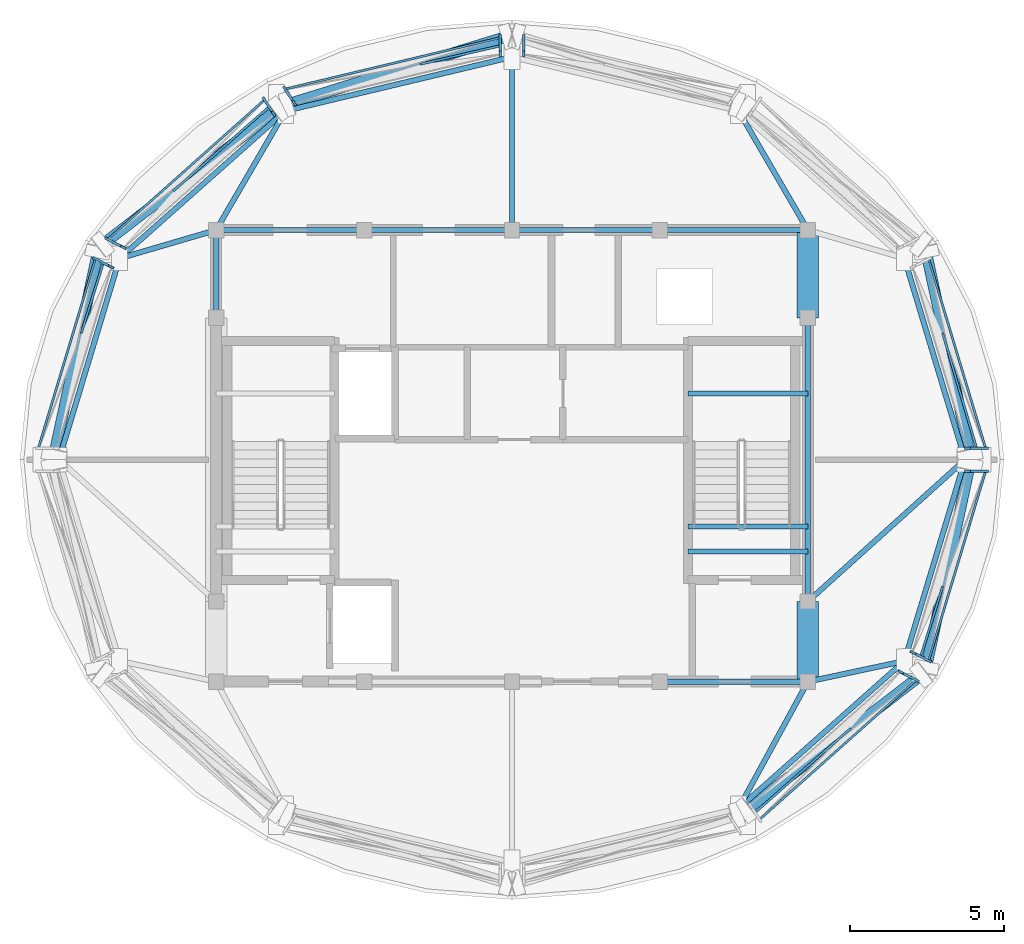
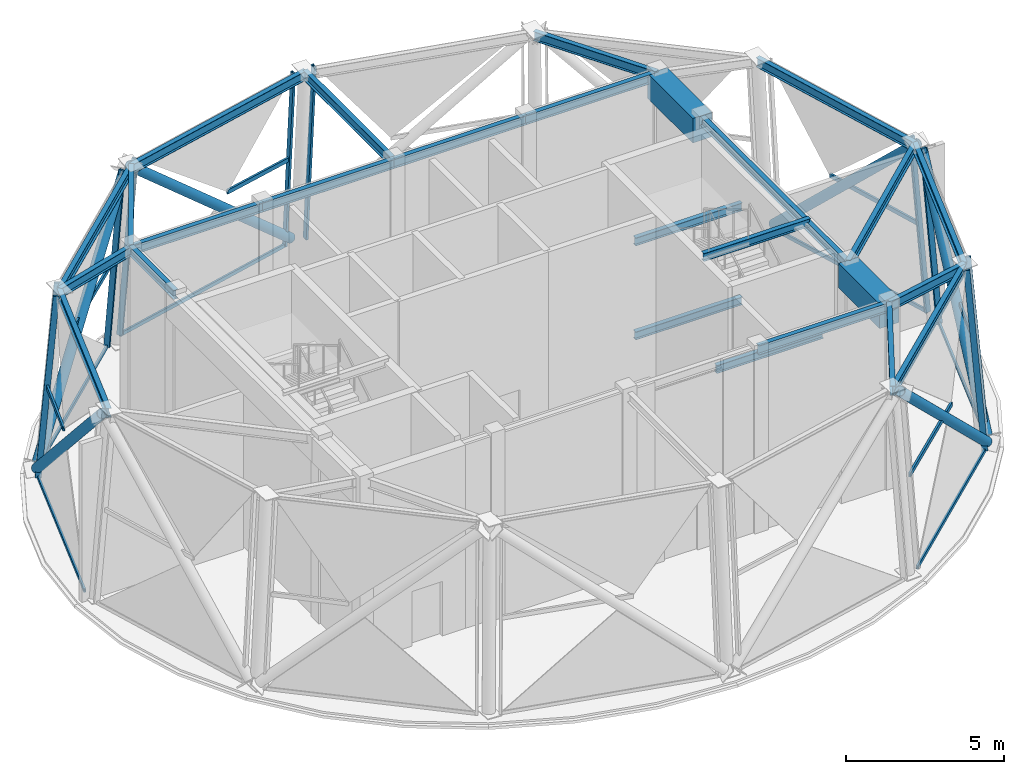
# One storey, part 2 of 8: 28 members, 26 beams, 7 elements without a shape of their own.
"""IFC4 building model written with IfcOpenShell, lengths in metres."""

import ifcopenshell
import ifcopenshell.guid

model = None  # the IFC model being written
_history = None  # IfcOwnerHistory: only IFC2X3 demands one
_inside = {}  # id of a spatial element -> (the spatial element, [elements in it])
_under = {}  # id of a project, library or spatial element -> (it, [spatial elements below it])
_declared = {}  # id of a project -> (the project, [libraries it declares])
_typed = {}  # id of a type object -> (the type object, [elements of that type])
_made_of = {}  # id of a material, layer set ... -> (it, [elements and type objects made of it])


def new_model(schema):
    """Start an empty IFC model of exactly this schema.

    Asked for "IFC4X3", IfcOpenShell would pick the latest addendum, in which some entities
    have other attributes; the version numbers below select the first issue.
    IFC2X3 requires an IfcOwnerHistory on every rooted entity: one is made here for all.
    """
    global model, _history
    if schema == "IFC4X3":
        model = ifcopenshell.file(schema_version=(4, 3, 0, 0))
    else:
        model = ifcopenshell.file(schema=schema)
    _inside.clear()
    _under.clear()
    _declared.clear()
    _typed.clear()
    _made_of.clear()
    _history = None
    if model.schema == "IFC2X3":
        org = make("IfcOrganization", Name="unknown")
        user = make(
            "IfcPersonAndOrganization",
            ThePerson=make("IfcPerson", FamilyName="unknown"),
            TheOrganization=org,
        )
        app = make(
            "IfcApplication",
            ApplicationDeveloper=org,
            Version="unknown",
            ApplicationFullName="unknown",
            ApplicationIdentifier="unknown",
        )
        _history = make(
            "IfcOwnerHistory",
            OwningUser=user,
            OwningApplication=app,
            ChangeAction="ADDED",
            CreationDate=0,
        )
    return model


def make(cls, **values):
    """One entity of the class cls with the attributes given. An attribute that is None is left unset."""
    return model.create_entity(
        cls, **{name: value for name, value in values.items() if value is not None}
    )


def rooted(cls, **values):
    """An entity with a GlobalId (a new one), such as an element, a storey or a relation."""
    return make(cls, GlobalId=ifcopenshell.guid.new(), OwnerHistory=_history, **values)


def si_unit(unit_type, name, prefix=None):
    """IfcSIUnit, for example si_unit("LENGTHUNIT", "METRE", prefix="MILLI")."""
    return make("IfcSIUnit", UnitType=unit_type, Prefix=prefix, Name=name)


def assignment(units):
    """IfcUnitAssignment: the units of a project."""
    return None if units is None else make("IfcUnitAssignment", Units=units)


def point(xyz):
    """IfcCartesianPoint."""
    return None if xyz is None else make("IfcCartesianPoint", Coordinates=xyz)


def direction(xyz):
    """IfcDirection."""
    return None if xyz is None else make("IfcDirection", DirectionRatios=xyz)


def frame(location, z_axis=None, x_axis=None):
    """IfcAxis2Placement3D, a coordinate frame: its origin and axes. An axis left out is left unset."""
    return make(
        "IfcAxis2Placement3D",
        Location=point(location),
        Axis=direction(z_axis),
        RefDirection=direction(x_axis),
    )


def frame_2d(location, x_axis=None):
    """IfcAxis2Placement2D, a coordinate frame in the plane: its origin and x axis."""
    return make(
        "IfcAxis2Placement2D", Location=point(location), RefDirection=direction(x_axis)
    )


def origin():
    """The frame at (0, 0, 0) with its axes left unset."""
    return frame((0.0, 0.0, 0.0))


def origin_2d():
    """The frame at (0, 0) in the plane with its x axis left unset."""
    return frame_2d((0.0, 0.0))


def place(relative_to, where):
    """IfcLocalPlacement: puts the frame where relative to a parent placement (None: the world)."""
    return make(
        "IfcLocalPlacement", PlacementRelTo=relative_to, RelativePlacement=where
    )


def context(
    kind, dimensions, precision=None, world=None, true_north=None, identifier=None
):
    """IfcGeometricRepresentationContext, for example the 3D "Model" context."""
    return make(
        "IfcGeometricRepresentationContext",
        ContextIdentifier=identifier,
        ContextType=kind,
        CoordinateSpaceDimension=dimensions,
        Precision=precision,
        WorldCoordinateSystem=world,
        TrueNorth=true_north,
    )


def subcontext(parent, identifier, kind, view, scale=None):
    """IfcGeometricRepresentationSubContext, for example "Body" below "Model"."""
    return make(
        "IfcGeometricRepresentationSubContext",
        ContextIdentifier=identifier,
        ContextType=kind,
        ParentContext=parent,
        TargetScale=scale,
        TargetView=view,
    )


def project(units=None, contexts=None):
    """IfcProject with its units and contexts."""
    return rooted(
        "IfcProject",
        Name="project",
        RepresentationContexts=contexts,
        UnitsInContext=assignment(units),
    )


def spatial(cls, under=None, at=None, **own):
    """A site, building, storey or space (cls), placed at a placement, below another one or the project."""
    s = rooted(cls, ObjectPlacement=at, **own)
    if under is not None:
        _under.setdefault(under.id(), (under, []))[1].append(s)
    return s


def profile(cls, at=None, kind="AREA", **sizes):
    """A parametric profile (cls). Its sizes go by their IFC names, for example OverallWidth=200.0."""
    return make(cls, ProfileType=kind, Position=at, **sizes)


def rectangle(**sizes):
    """IfcRectangleProfileDef."""
    return profile("IfcRectangleProfileDef", **sizes)


def hollow_rectangle(**sizes):
    """IfcRectangleHollowProfileDef."""
    return profile("IfcRectangleHollowProfileDef", **sizes)


def hollow_circle(**sizes):
    """IfcCircleHollowProfileDef."""
    return profile("IfcCircleHollowProfileDef", **sizes)


def i_section(**sizes):
    """IfcIShapeProfileDef."""
    return profile("IfcIShapeProfileDef", **sizes)


def extrude(swept, where, along, depth):
    """IfcExtrudedAreaSolid: the profile swept, set in the frame where, extruded along a direction by depth."""
    return make(
        "IfcExtrudedAreaSolid",
        SweptArea=swept,
        Position=where,
        ExtrudedDirection=direction(along),
        Depth=depth,
    )


def shape(context_of_items, identifier, shape_type, items):
    """IfcShapeRepresentation: the items that make up one representation, for example the "Body"."""
    return make(
        "IfcShapeRepresentation",
        ContextOfItems=context_of_items,
        RepresentationIdentifier=identifier,
        RepresentationType=shape_type,
        Items=items,
    )


def material(Name=None, Category=None):
    """IfcMaterial."""
    return make("IfcMaterial", Name=Name, Category=Category)


def layer(
    of_material, thickness, ventilated=None, Name=None, Category=None, Priority=None
):
    """IfcMaterialLayer: one layer of a wall or slab, of a material (None: an air gap)."""
    return make(
        "IfcMaterialLayer",
        Material=of_material,
        LayerThickness=thickness,
        IsVentilated=ventilated,
        Name=Name,
        Category=Category,
        Priority=Priority,
    )


def layer_set(layers, Name=None):
    """IfcMaterialLayerSet."""
    return make("IfcMaterialLayerSet", MaterialLayers=layers, LayerSetName=Name)


def material_profile(
    of_material, cross_section, Name=None, Category=None, Priority=None
):
    """IfcMaterialProfile: a cross section and its material."""
    return make(
        "IfcMaterialProfile",
        Name=Name,
        Material=of_material,
        Profile=cross_section,
        Priority=Priority,
        Category=Category,
    )


def profile_set(profiles, Name=None, composite=None):
    """IfcMaterialProfileSet."""
    return make(
        "IfcMaterialProfileSet",
        Name=Name,
        MaterialProfiles=profiles,
        CompositeProfile=composite,
    )


def made_of(thing, what):
    """Note that an element or type object is made of a material, layer set ...; save() writes the relation."""
    if what is not None:
        _made_of.setdefault(what.id(), (what, []))[1].append(thing)
    return thing


def type_object(cls, material=None, **own):
    """A type object (cls), such as IfcWallType, which elements share."""
    return made_of(rooted(cls, **own), material)


def element(
    cls,
    number,
    at=None,
    inside=None,
    cuts=None,
    type_object=None,
    material=None,
    context=None,
    identifier="Body",
    shape_type=None,
    held_by="IfcProductDefinitionShape",
    body=None,
    shapes=None,
    **own,
):
    """One element of the class cls, such as IfcWall. Its Tag is "e" and its number.

    at: its placement. inside: the storey or other place that contains it. cuts: it is an
    opening in that element (IfcRelVoidsElement). A single representation is given by context,
    identifier, shape_type and body (its items); several are given by shapes. held_by: the class
    of the entity that holds the representations. save() writes the other relations.
    """
    e = rooted(cls, Tag="e%d" % number, ObjectPlacement=at, **own)
    if body is not None:
        shapes = [shape(context, identifier, shape_type, body)]
    if shapes is not None:
        e.Representation = make(held_by, Representations=shapes)
    if inside is not None:
        _inside.setdefault(inside.id(), (inside, []))[1].append(e)
    if cuts is not None:
        rooted(
            "IfcRelVoidsElement", RelatingBuildingElement=cuts, RelatedOpeningElement=e
        )
    if type_object is not None:
        _typed.setdefault(type_object.id(), (type_object, []))[1].append(e)
    return made_of(e, material)


def aggregate(whole, parts):
    """IfcRelAggregates: a whole, such as a stair, and the parts it consists of."""
    return rooted("IfcRelAggregates", RelatingObject=whole, RelatedObjects=parts)


def save(model, path):
    """Write the relations noted so far, then the file.

    IfcRelAggregates (storeys below a building ...), IfcRelContainedInSpatialStructure (elements
    in a storey), IfcRelDefinesByType, IfcRelAssociatesMaterial and IfcRelDeclares: one each for
    every whole, place, type object, material and project.
    """
    for whole, parts in _under.values():
        aggregate(whole, parts)
    for where, things in _inside.values():
        rooted(
            "IfcRelContainedInSpatialStructure",
            RelatedElements=things,
            RelatingStructure=where,
        )
    for kind, things in _typed.values():
        rooted("IfcRelDefinesByType", RelatedObjects=things, RelatingType=kind)
    for what, things in _made_of.values():
        rooted("IfcRelAssociatesMaterial", RelatedObjects=things, RelatingMaterial=what)
    for by, libraries in _declared.values():
        rooted("IfcRelDeclares", RelatingContext=by, RelatedDefinitions=libraries)
    model.write(path)


model = new_model("IFC4")

# Units and contexts
model_context = context("Model", 3, precision=1e-05, world=origin(), true_north=direction((0.0, 1.0)))
body_context = subcontext(model_context, "Body", "Model", "MODEL_VIEW")
ifc_project = project(units=[si_unit("LENGTHUNIT", "METRE"), si_unit("AREAUNIT", "SQUARE_METRE"), si_unit("VOLUMEUNIT", "CUBIC_METRE"), si_unit("PLANEANGLEUNIT", "RADIAN"), si_unit("MASSUNIT", "GRAM", prefix="KILO")], contexts=[model_context])

# Site, building, storey
site_placement = place(None, origin())
site = spatial("IfcSite", under=ifc_project, at=site_placement, CompositionType="ELEMENT")
building_placement = place(site_placement, origin())
building = spatial("IfcBuilding", under=site, at=building_placement, Name="Vantalir Tower", CompositionType="ELEMENT")
storey_placement = place(building_placement, frame((0.0, 0.0, 326.25)))
storey = spatial("IfcBuildingStorey", under=building, at=storey_placement, Name="L79", CompositionType="ELEMENT", Elevation=326.25)

# Beams
ifc_material_1 = material(Name="Concrete C60/75", Category="concrete")
ifc_material_profile_1 = material_profile(ifc_material_1, rectangle(XDim=0.699951171875, YDim=0.949951171875, at=origin_2d()), Name="Concrete C60/75")
ifc_profile_set_1 = profile_set([ifc_material_profile_1], Name="Concrete C60/75")
beam_type_1 = type_object("IfcBeamType", Name="BM-CB-700x950", PredefinedType="USERDEFINED", material=ifc_profile_set_1)
beam_1_placement = place(storey_placement, frame((41.10009765625, 17.800048828125, 6.594970703125), z_axis=(0.0, 1.0, 0.0), x_axis=(-1.0, 0.0, 0.0)))
element("IfcBeam", 1, at=beam_1_placement, inside=storey, type_object=beam_type_1, Name="L79 Core Coupling Girder 05", ObjectType="GIRDER", PredefinedType="USERDEFINED", context=body_context, shape_type="SweptSolid", body=[
    extrude(rectangle(XDim=0.699951171875, YDim=0.949951171875, at=origin_2d()), origin(), (0.0, 0.0, 1.0), 2.599853515625),
])
beam_2_placement = place(storey_placement, frame((41.10009765625, 29.60009765625, 6.594970703125), z_axis=(0.0, 1.0, 0.0), x_axis=(-1.0, 0.0, 0.0)))
element("IfcBeam", 2, at=beam_2_placement, inside=storey, type_object=beam_type_1, Name="L79 Core Coupling Girder 07", ObjectType="GIRDER", PredefinedType="USERDEFINED", context=body_context, shape_type="SweptSolid", body=[
    extrude(rectangle(XDim=0.699951171875, YDim=0.949951171875, at=origin_2d()), origin(), (0.0, 0.0, 1.0), 2.849853515625),
])
ifc_material_2 = material(Name="Steel S355", Category="steel")
ifc_material_profile_2 = material_profile(ifc_material_2, i_section(OverallWidth=0.166015625, OverallDepth=0.306884765625, WebThickness=0.006591796875, FlangeThickness=0.01171875, at=origin_2d()), Name="Steel S355")
ifc_profile_set_2 = profile_set([ifc_material_profile_2], Name="Steel S355")
beam_type_2 = type_object("IfcBeamType", Name="BM-JS-305x165", PredefinedType="JOIST", material=ifc_profile_set_2)
for number, where, z_axis, x_axis, name in (
    (3, (37.2099609375, 22.8349609375, 7.095947265625), (1.0, 0.0, 0.0), (0.0, 1.0, 0.0), "L80 Stair ST2 Well Nosing Trimmer Beam"),
    (4, (37.2099609375, 27.14501953125, 1.458984375), (1.0, 0.0, 0.0), (0.0, 1.0, 0.0), "L79 Stair ST2 Half-Landing Support Beam"),
    (5, (37.2099609375, 22.02001953125, 3.27197265625), (1.0, 0.0, 0.0), (0.0, 1.0, 0.0), "L79 Stair ST2 Half-Landing Support Beam"),
    (6, (37.2099609375, 27.14501953125, 5.083984375), (1.0, 0.0, 0.0), (0.0, 1.0, 0.0), "L79 Stair ST2 Half-Landing Support Beam"),
):
    element("IfcBeam", number, at=place(storey_placement, frame(where, z_axis=z_axis, x_axis=x_axis)), inside=storey, type_object=beam_type_2, Name=name, PredefinedType="JOIST", context=body_context, shape_type="SweptSolid", body=[
        extrude(i_section(OverallWidth=0.166015625, OverallDepth=0.306884765625, WebThickness=0.006591796875, FlangeThickness=0.01171875, at=origin_2d()), origin(), (0.0, 0.0, 1.0), 3.89013671875),
    ])
ifc_material_3 = material(Name="Steel S460", Category="steel")
ifc_material_profile_3 = material_profile(ifc_material_3, i_section(OverallWidth=0.172119140625, OverallDepth=0.35791015625, WebThickness=0.008056640625, FlangeThickness=0.012939453125, at=origin_2d()), Name="Steel S460")
ifc_profile_set_3 = profile_set([ifc_material_profile_3], Name="Steel S460")
beam_type_3 = type_object("IfcBeamType", Name="BM-RB-356x171", PredefinedType="BEAM", material=ifc_profile_set_3)
beam_3_placement = place(storey_placement, frame((36.300048828125, 17.800048828125, 6.89111328125), z_axis=(1.0, 0.0, 0.0), x_axis=(0.0, 1.0, 0.0)))
element("IfcBeam", 7, at=beam_3_placement, inside=storey, type_object=beam_type_3, Name="L79 Core Coupling Girder 04", PredefinedType="BEAM", context=body_context, shape_type="SweptSolid", body=[
    extrude(i_section(OverallWidth=0.172119140625, OverallDepth=0.35791015625, WebThickness=0.008056640625, FlangeThickness=0.012939453125, at=origin_2d()), origin(), (0.0, 0.0, 1.0), 4.800048828125),
])
beam_4_placement = place(storey_placement, frame((41.10009765625, 20.39990234375, 6.89111328125), z_axis=(0.0, 1.0, 0.0), x_axis=(-1.0, 0.0, 0.0)))
element("IfcBeam", 8, at=beam_4_placement, inside=storey, type_object=beam_type_3, Name="L79 Core Coupling Girder 06", PredefinedType="BEAM", context=body_context, shape_type="SweptSolid", body=[
    extrude(i_section(OverallWidth=0.172119140625, OverallDepth=0.35791015625, WebThickness=0.008056640625, FlangeThickness=0.012939453125, at=origin_2d()), origin(), (0.0, 0.0, 1.0), 9.2001953125),
])
for number, where, z_axis, x_axis, name in (
    (9, (41.10009765625, 32.449951171875, 6.89111328125), (-1.0, 0.0, 0.0), (0.0, -1.0, 0.0), "L79 Core Coupling Girder 08"),
    (10, (36.300048828125, 32.449951171875, 6.89111328125), (-1.0, 0.0, 0.0), (0.0, -1.0, 0.0), "L79 Core Coupling Girder 09"),
    (11, (31.5, 32.449951171875, 6.89111328125), (-1.0, 0.0, 0.0), (0.0, -1.0, 0.0), "L79 Core Coupling Girder 10"),
    (12, (26.699951171875, 32.449951171875, 6.89111328125), (-1.0, 0.0, 0.0), (0.0, -1.0, 0.0), "L79 Core Coupling Girder 11"),
):
    element("IfcBeam", number, at=place(storey_placement, frame(where, z_axis=z_axis, x_axis=x_axis)), inside=storey, type_object=beam_type_3, Name=name, PredefinedType="BEAM", context=body_context, shape_type="SweptSolid", body=[
        extrude(i_section(OverallWidth=0.172119140625, OverallDepth=0.35791015625, WebThickness=0.008056640625, FlangeThickness=0.012939453125, at=origin_2d()), origin(), (0.0, 0.0, 1.0), 4.800048828125),
    ])
beam_5_placement = place(storey_placement, frame((21.89990234375, 32.449951171875, 6.89111328125), z_axis=(0.0, -1.0, 0.0), x_axis=(1.0, 0.0, 0.0)))
element("IfcBeam", 13, at=beam_5_placement, inside=storey, type_object=beam_type_3, Name="L79 Core Coupling Girder 12", PredefinedType="BEAM", context=body_context, shape_type="SweptSolid", body=[
    extrude(i_section(OverallWidth=0.172119140625, OverallDepth=0.35791015625, WebThickness=0.008056640625, FlangeThickness=0.012939453125, at=origin_2d()), origin(), (0.0, 0.0, 1.0), 2.849853515625),
])
beam_6_placement = place(storey_placement, frame((46.200927734375, 25.0, 6.89111328125), z_axis=(-0.288703272618, 0.957418623372, 0.0), x_axis=(-0.957418623372, -0.288703272618, 0.0)))
element("IfcBeam", 14, at=beam_6_placement, inside=storey, type_object=beam_type_3, Name="L79 Circumferential Ring Girder 01", PredefinedType="BEAM", context=body_context, shape_type="SweptSolid", body=[
    extrude(i_section(OverallWidth=0.172119140625, OverallDepth=0.35791015625, WebThickness=0.008056640625, FlangeThickness=0.012939453125, at=origin_2d()), origin(), (0.0, 0.0, 1.0), 6.823486328125),
])
beam_7_placement = place(storey_placement, frame((46.200927734375, 25.0, 6.89111328125), z_axis=(-0.742616862303, -0.669716504069, 0.0), x_axis=(0.669716504069, -0.742616862303, 0.0)))
element("IfcBeam", 15, at=beam_7_placement, inside=storey, type_object=beam_type_3, Name="L79 Radial Floor Beam 01", PredefinedType="BEAM", context=body_context, shape_type="SweptSolid", body=[
    extrude(i_section(OverallWidth=0.172119140625, OverallDepth=0.35791015625, WebThickness=0.008056640625, FlangeThickness=0.012939453125, at=origin_2d()), origin(), (0.0, 0.0, 1.0), 6.86865234375),
])
beam_8_placement = place(storey_placement, frame((38.85107421875, 36.31591796875, 6.89111328125), z_axis=(0.502849088918, -0.86437422091, 0.0), x_axis=(0.86437422091, 0.502849088918, 0.0)))
element("IfcBeam", 16, at=beam_8_placement, inside=storey, type_object=beam_type_3, Name="L79 Radial Floor Beam 03", PredefinedType="BEAM", context=body_context, shape_type="SweptSolid", body=[
    extrude(i_section(OverallWidth=0.172119140625, OverallDepth=0.35791015625, WebThickness=0.008056640625, FlangeThickness=0.012939453125, at=origin_2d()), origin(), (0.0, 0.0, 1.0), 4.47265625),
])
beam_9_placement = place(storey_placement, frame((31.5, 38.06689453125, 6.89111328125), z_axis=(-0.972777778558, -0.23173992652, 0.0), x_axis=(0.23173992652, -0.972777778558, 0.0)))
element("IfcBeam", 17, at=beam_9_placement, inside=storey, type_object=beam_type_3, Name="L79 Circumferential Ring Girder 04", PredefinedType="BEAM", context=body_context, shape_type="SweptSolid", body=[
    extrude(i_section(OverallWidth=0.172119140625, OverallDepth=0.35791015625, WebThickness=0.008056640625, FlangeThickness=0.012939453125, at=origin_2d()), origin(), (0.0, 0.0, 1.0), 7.5556640625),
])
beam_10_placement = place(storey_placement, frame((31.5, 38.06689453125, 6.89111328125), z_axis=(0.0, -1.0, 0.0), x_axis=(1.0, 0.0, 0.0)))
element("IfcBeam", 18, at=beam_10_placement, inside=storey, type_object=beam_type_3, Name="L79 Radial Floor Beam 04", PredefinedType="BEAM", context=body_context, shape_type="SweptSolid", body=[
    extrude(i_section(OverallWidth=0.172119140625, OverallDepth=0.35791015625, WebThickness=0.008056640625, FlangeThickness=0.012939453125, at=origin_2d()), origin(), (0.0, 0.0, 1.0), 5.616943359375),
])
beam_11_placement = place(storey_placement, frame((24.14990234375, 36.31591796875, 6.89111328125), z_axis=(-0.747411189664, -0.664361733971, 0.0), x_axis=(0.664361733971, -0.747411189664, 0.0)))
element("IfcBeam", 19, at=beam_11_placement, inside=storey, type_object=beam_type_3, Name="L79 Circumferential Ring Girder 05", PredefinedType="BEAM", context=body_context, shape_type="SweptSolid", body=[
    extrude(i_section(OverallWidth=0.172119140625, OverallDepth=0.35791015625, WebThickness=0.008056640625, FlangeThickness=0.012939453125, at=origin_2d()), origin(), (0.0, 0.0, 1.0), 7.19921875),
])
beam_12_placement = place(storey_placement, frame((24.14990234375, 36.31591796875, 6.89111328125), z_axis=(-0.503012197125, -0.864279312227, 0.0), x_axis=(0.864279312227, -0.503012197125, 0.0)))
element("IfcBeam", 20, at=beam_12_placement, inside=storey, type_object=beam_type_3, Name="L79 Radial Floor Beam 05", PredefinedType="BEAM", context=body_context, shape_type="SweptSolid", body=[
    extrude(i_section(OverallWidth=0.172119140625, OverallDepth=0.35791015625, WebThickness=0.008056640625, FlangeThickness=0.012939453125, at=origin_2d()), origin(), (0.0, 0.0, 1.0), 4.47314453125),
])
beam_13_placement = place(storey_placement, frame((18.76904296875, 31.532958984375, 6.89111328125), z_axis=(-0.288703272618, -0.957418623372, 0.0), x_axis=(0.957418623372, -0.288703272618, 0.0)))
element("IfcBeam", 21, at=beam_13_placement, inside=storey, type_object=beam_type_3, Name="L79 Circumferential Ring Girder 06", PredefinedType="BEAM", context=body_context, shape_type="SweptSolid", body=[
    extrude(i_section(OverallWidth=0.172119140625, OverallDepth=0.35791015625, WebThickness=0.008056640625, FlangeThickness=0.012939453125, at=origin_2d()), origin(), (0.0, 0.0, 1.0), 6.823486328125),
])
beam_14_placement = place(storey_placement, frame((18.76904296875, 31.532958984375, 6.89111328125), z_axis=(0.95968424672, 0.281080320546, 0.0), x_axis=(-0.281080320546, 0.95968424672, 0.0)))
element("IfcBeam", 22, at=beam_14_placement, inside=storey, type_object=beam_type_3, Name="L79 Radial Floor Beam 06", PredefinedType="BEAM", context=body_context, shape_type="SweptSolid", body=[
    extrude(i_section(OverallWidth=0.172119140625, OverallDepth=0.35791015625, WebThickness=0.008056640625, FlangeThickness=0.012939453125, at=origin_2d()), origin(), (0.0, 0.0, 1.0), 3.262451171875),
])
beam_15_placement = place(storey_placement, frame((38.85107421875, 13.68408203125, 6.89111328125), z_axis=(0.74741867532, 0.664353312465, 0.0), x_axis=(-0.664353312465, 0.74741867532, 0.0)))
element("IfcBeam", 23, at=beam_15_placement, inside=storey, type_object=beam_type_3, Name="L79 Circumferential Ring Girder 11", PredefinedType="BEAM", context=body_context, shape_type="SweptSolid", body=[
    extrude(i_section(OverallWidth=0.172119140625, OverallDepth=0.35791015625, WebThickness=0.008056640625, FlangeThickness=0.012939453125, at=origin_2d()), origin(), (0.0, 0.0, 1.0), 7.197998046875),
])
beam_16_placement = place(storey_placement, frame((38.85107421875, 13.68408203125, 6.89111328125), z_axis=(0.479501155301, 0.87754124807, 0.0), x_axis=(-0.87754124807, 0.479501155301, 0.0)))
element("IfcBeam", 24, at=beam_16_placement, inside=storey, type_object=beam_type_3, Name="L79 Radial Floor Beam 11", PredefinedType="BEAM", context=body_context, shape_type="SweptSolid", body=[
    extrude(i_section(OverallWidth=0.172119140625, OverallDepth=0.35791015625, WebThickness=0.008056640625, FlangeThickness=0.012939453125, at=origin_2d()), origin(), (0.0, 0.0, 1.0), 4.6904296875),
])
beam_17_placement = place(storey_placement, frame((44.23095703125, 18.466064453125, 6.89111328125), z_axis=(0.288663718768, 0.957430549683, 0.0), x_axis=(-0.957430549683, 0.288663718768, 0.0)))
element("IfcBeam", 25, at=beam_17_placement, inside=storey, type_object=beam_type_3, Name="L79 Circumferential Ring Girder 12", PredefinedType="BEAM", context=body_context, shape_type="SweptSolid", body=[
    extrude(i_section(OverallWidth=0.172119140625, OverallDepth=0.35791015625, WebThickness=0.008056640625, FlangeThickness=0.012939453125, at=origin_2d()), origin(), (0.0, 0.0, 1.0), 6.824462890625),
])
beam_18_placement = place(storey_placement, frame((44.23095703125, 18.466064453125, 6.89111328125), z_axis=(-0.978113856085, -0.208070383609, 0.0), x_axis=(0.208070383609, -0.978113856085, 0.0)))
element("IfcBeam", 26, at=beam_18_placement, inside=storey, type_object=beam_type_3, Name="L79 Radial Floor Beam 12", PredefinedType="BEAM", context=body_context, shape_type="SweptSolid", body=[
    extrude(i_section(OverallWidth=0.172119140625, OverallDepth=0.35791015625, WebThickness=0.008056640625, FlangeThickness=0.012939453125, at=origin_2d()), origin(), (0.0, 0.0, 1.0), 3.200927734375),
])

# Curtain wall, member
ifc_material_4 = material(Name="Champagne-silver PVDF aluminium and double-silver Low-E glass", Category="aluminium")
ifc_layer = layer(ifc_material_4, 0.25)
ifc_layer_set = layer_set([ifc_layer], Name="Champagne-silver PVDF aluminium and double-silver Low-E glass")
curtain_wall_type = type_object("IfcCurtainWallType", Name="CW-CROWN-PT", PredefinedType="USERDEFINED", material=ifc_layer_set)
curtain_wall_1_placement = place(storey_placement, origin())
curtain_wall_1 = element("IfcCurtainWall", 27, at=curtain_wall_1_placement, inside=storey, type_object=curtain_wall_type, Name="L79 Quilted Pyramid-Diamond Curtain Wall S01", ObjectType="UNITISED CURTAIN WALL", PredefinedType="USERDEFINED")
ifc_material_5 = material(Name="Champagne-silver PVDF aluminium 6063-T6", Category="aluminium")
ifc_material_profile_4 = material_profile(ifc_material_5, hollow_rectangle(XDim=0.080078125, YDim=0.199951171875, WallThickness=0.0048828125, at=origin_2d()), Name="Champagne-silver PVDF aluminium 6063-T6")
ifc_profile_set_4 = profile_set([ifc_material_profile_4], Name="Champagne-silver PVDF aluminium 6063-T6")
member_type_1 = type_object("IfcMemberType", Name="CWM-200x80", PredefinedType="MULLION", material=ifc_profile_set_4)
member_1_placement = place(storey_placement, frame((46.865966796875, 25.373046875, 0.044921875), z_axis=(-0.083789655369, 0.0, 0.996483463813), x_axis=(0.0, -1.0, 0.0)))
member_1 = element("IfcMember", 28, at=member_1_placement, type_object=member_type_1, Name="CW-L79-S01 Mullion 1", PredefinedType="MULLION", context=body_context, shape_type="SweptSolid", body=[
    extrude(hollow_rectangle(XDim=0.080078125, YDim=0.199951171875, WallThickness=0.0048828125, at=origin_2d()), origin(), (0.0, 0.0, 1.0), 7.004638671875),
])

curtain_wall_2_placement = place(storey_placement, origin())
curtain_wall_2 = element("IfcCurtainWall", 29, at=curtain_wall_2_placement, inside=storey, type_object=curtain_wall_type, Name="L79 Quilted Pyramid-Diamond Curtain Wall S03", ObjectType="UNITISED CURTAIN WALL", PredefinedType="USERDEFINED")
member_2_placement = place(storey_placement, frame((31.87890625, 38.69091796875, 0.044921875), z_axis=(0.0, -0.074850645186, 0.99719475576), x_axis=(1.0, 0.0, 0.0)))
member_2 = element("IfcMember", 30, at=member_2_placement, type_object=member_type_1, Name="CW-L79-S03 Mullion 2", PredefinedType="MULLION", context=body_context, shape_type="SweptSolid", body=[
    extrude(hollow_rectangle(XDim=0.080078125, YDim=0.199951171875, WallThickness=0.0048828125, at=origin_2d()), origin(), (0.0, 0.0, 1.0), 6.99951171875),
])
aggregate(curtain_wall_2, [member_2])

# Curtain wall, members
curtain_wall_3_placement = place(storey_placement, origin())
curtain_wall_3 = element("IfcCurtainWall", 31, at=curtain_wall_3_placement, inside=storey, type_object=curtain_wall_type, Name="L79 Quilted Pyramid-Diamond Curtain Wall S04", ObjectType="UNITISED CURTAIN WALL", PredefinedType="USERDEFINED")
member_3_placement = place(storey_placement, frame((31.12109375, 38.69091796875, 0.044921875), z_axis=(0.0, -0.074850645186, 0.99719475576), x_axis=(1.0, 0.0, 0.0)))
member_3 = element("IfcMember", 32, at=member_3_placement, type_object=member_type_1, Name="CW-L79-S04 Mullion 1", PredefinedType="MULLION", context=body_context, shape_type="SweptSolid", body=[
    extrude(hollow_rectangle(XDim=0.080078125, YDim=0.199951171875, WallThickness=0.0048828125, at=origin_2d()), origin(), (0.0, 0.0, 1.0), 6.99951171875),
])
member_4_placement = place(storey_placement, frame((24.139892578125, 37.02490234375, 0.044921875), z_axis=(0.042021636, -0.064828399439, 0.997011264096), x_axis=(0.839133910155, 0.543924885281, 0.0)))
member_4 = element("IfcMember", 33, at=member_4_placement, type_object=member_type_1, Name="CW-L79-S04 Mullion 2", PredefinedType="MULLION", context=body_context, shape_type="SweptSolid", body=[
    extrude(hollow_rectangle(XDim=0.080078125, YDim=0.199951171875, WallThickness=0.0048828125, at=origin_2d()), origin(), (0.0, 0.0, 1.0), 7.0009765625),
])

curtain_wall_4_placement = place(storey_placement, origin())
curtain_wall_4 = element("IfcCurtainWall", 34, at=curtain_wall_4_placement, inside=storey, type_object=curtain_wall_type, Name="L79 Quilted Pyramid-Diamond Curtain Wall S05", ObjectType="UNITISED CURTAIN WALL", PredefinedType="USERDEFINED")
member_5_placement = place(storey_placement, frame((23.469970703125, 36.676025390625, 0.044921875), z_axis=(0.041986729828, -0.064863220499, 0.997010469927), x_axis=(0.839473273036, 0.54340097889, 0.0)))
member_5 = element("IfcMember", 35, at=member_5_placement, type_object=member_type_1, Name="CW-L79-S05 Mullion 1", PredefinedType="MULLION", context=body_context, shape_type="SweptSolid", body=[
    extrude(hollow_rectangle(XDim=0.080078125, YDim=0.199951171875, WallThickness=0.0048828125, at=origin_2d()), origin(), (0.0, 0.0, 1.0), 7.0009765625),
])
member_6_placement = place(storey_placement, frame((18.386962890625, 32.14892578125, 0.044921875), z_axis=(0.072544830154, -0.037405383352, 0.996663476262), x_axis=(0.4582838613, 0.888805885709, 0.0)))
member_6 = element("IfcMember", 36, at=member_6_placement, type_object=member_type_1, Name="CW-L79-S05 Mullion 2", PredefinedType="MULLION", context=body_context, shape_type="SweptSolid", body=[
    extrude(hollow_rectangle(XDim=0.080078125, YDim=0.199951171875, WallThickness=0.0048828125, at=origin_2d()), origin(), (0.0, 0.0, 1.0), 7.00341796875),
])

# Curtain wall, member
curtain_wall_5_placement = place(storey_placement, origin())
curtain_wall_5 = element("IfcCurtainWall", 37, at=curtain_wall_5_placement, inside=storey, type_object=curtain_wall_type, Name="L79 Quilted Pyramid-Diamond Curtain Wall S06", ObjectType="UNITISED CURTAIN WALL", PredefinedType="USERDEFINED")
member_7_placement = place(storey_placement, frame((17.98388671875, 31.51708984375, 0.044921875), z_axis=(0.072544735514, -0.03744019507, 0.996662176037), x_axis=(0.458621165042, 0.888631884965, 0.0)))
member_7 = element("IfcMember", 38, at=member_7_placement, type_object=member_type_1, Name="CW-L79-S06 Mullion 1", PredefinedType="MULLION", context=body_context, shape_type="SweptSolid", body=[
    extrude(hollow_rectangle(XDim=0.080078125, YDim=0.199951171875, WallThickness=0.0048828125, at=origin_2d()), origin(), (0.0, 0.0, 1.0), 7.00341796875),
])

curtain_wall_6_placement = place(storey_placement, origin())
curtain_wall_6 = element("IfcCurtainWall", 39, at=curtain_wall_6_placement, inside=storey, type_object=curtain_wall_type, Name="L79 Quilted Pyramid-Diamond Curtain Wall S11", ObjectType="UNITISED CURTAIN WALL", PredefinedType="USERDEFINED")
member_8_placement = place(storey_placement, frame((44.613037109375, 17.85009765625, 0.044921875), z_axis=(-0.072544830154, 0.037405383352, 0.996663476262), x_axis=(-0.4582838613, -0.888805885709, 0.0)))
member_8 = element("IfcMember", 40, at=member_8_placement, type_object=member_type_1, Name="CW-L79-S11 Mullion 2", PredefinedType="MULLION", context=body_context, shape_type="SweptSolid", body=[
    extrude(hollow_rectangle(XDim=0.080078125, YDim=0.199951171875, WallThickness=0.0048828125, at=origin_2d()), origin(), (0.0, 0.0, 1.0), 7.00341796875),
])

# Curtain wall, members
curtain_wall_7_placement = place(storey_placement, origin())
curtain_wall_7 = element("IfcCurtainWall", 41, at=curtain_wall_7_placement, inside=storey, type_object=curtain_wall_type, Name="L79 Quilted Pyramid-Diamond Curtain Wall S12", ObjectType="UNITISED CURTAIN WALL", PredefinedType="USERDEFINED")
member_9_placement = place(storey_placement, frame((45.01611328125, 18.48193359375, 0.044921875), z_axis=(-0.072544830154, 0.037405383352, 0.996663476262), x_axis=(-0.4582838613, -0.888805885709, 0.0)))
member_9 = element("IfcMember", 42, at=member_9_placement, type_object=member_type_1, Name="CW-L79-S12 Mullion 1", PredefinedType="MULLION", context=body_context, shape_type="SweptSolid", body=[
    extrude(hollow_rectangle(XDim=0.080078125, YDim=0.199951171875, WallThickness=0.0048828125, at=origin_2d()), origin(), (0.0, 0.0, 1.0), 7.00341796875),
])
member_10_placement = place(storey_placement, frame((46.865966796875, 24.626953125, 0.044921875), z_axis=(-0.083789655369, 0.0, 0.996483463813), x_axis=(0.0, -1.0, 0.0)))
member_10 = element("IfcMember", 43, at=member_10_placement, type_object=member_type_1, Name="CW-L79-S12 Mullion 2", PredefinedType="MULLION", context=body_context, shape_type="SweptSolid", body=[
    extrude(hollow_rectangle(XDim=0.080078125, YDim=0.199951171875, WallThickness=0.0048828125, at=origin_2d()), origin(), (0.0, 0.0, 1.0), 7.004638671875),
])

# Member
ifc_material_profile_5 = material_profile(ifc_material_5, hollow_rectangle(XDim=0.070068359375, YDim=0.139892578125, WallThickness=0.00390625, at=origin_2d()), Name="Champagne-silver PVDF aluminium 6063-T6")
ifc_profile_set_5 = profile_set([ifc_material_profile_5], Name="Champagne-silver PVDF aluminium 6063-T6")
member_type_2 = type_object("IfcMemberType", Name="CWT-140x70", PredefinedType="USERDEFINED", material=ifc_profile_set_5)
member_11_placement = place(storey_placement, frame((46.865966796875, 25.373046875, 0.054931640625), z_axis=(-0.288297223857, 0.957540970777, 0.0), x_axis=(-0.957540970777, -0.288297223857, 0.0)))
member_11 = element("IfcMember", 44, at=member_11_placement, type_object=member_type_2, Name="CW-L79-S01 Sill Transom", ObjectType="TRANSOM", PredefinedType="USERDEFINED", context=body_context, shape_type="SweptSolid", body=[
    extrude(hollow_rectangle(XDim=0.070068359375, YDim=0.139892578125, WallThickness=0.00390625, at=origin_2d()), origin(), (0.0, 0.0, 1.0), 6.41650390625),
])

member_12_placement = place(storey_placement, frame((31.12109375, 38.69091796875, 0.054931640625), z_axis=(-0.972686006205, -0.232124822743, 0.0), x_axis=(0.232124822743, -0.972686006205, 0.0)))
member_12 = element("IfcMember", 45, at=member_12_placement, type_object=member_type_2, Name="CW-L79-S04 Sill Transom", ObjectType="TRANSOM", PredefinedType="USERDEFINED", context=body_context, shape_type="SweptSolid", body=[
    extrude(hollow_rectangle(XDim=0.070068359375, YDim=0.139892578125, WallThickness=0.00390625, at=origin_2d()), origin(), (0.0, 0.0, 1.0), 7.17724609375),
])

member_13_placement = place(storey_placement, frame((23.469970703125, 36.676025390625, 0.054931640625), z_axis=(-0.746761864531, -0.665091510758, 0.0), x_axis=(0.665091510758, -0.746761864531, 0.0)))
member_13 = element("IfcMember", 46, at=member_13_placement, type_object=member_type_2, Name="CW-L79-S05 Sill Transom", ObjectType="TRANSOM", PredefinedType="USERDEFINED", context=body_context, shape_type="SweptSolid", body=[
    extrude(hollow_rectangle(XDim=0.070068359375, YDim=0.139892578125, WallThickness=0.00390625, at=origin_2d()), origin(), (0.0, 0.0, 1.0), 6.806640625),
])

member_14_placement = place(storey_placement, frame((17.98388671875, 31.51708984375, 0.054931640625), z_axis=(-0.288297223857, -0.957540970777, 0.0), x_axis=(0.957540970777, -0.288297223857, 0.0)))
member_14 = element("IfcMember", 47, at=member_14_placement, type_object=member_type_2, Name="CW-L79-S06 Sill Transom", ObjectType="TRANSOM", PredefinedType="USERDEFINED", context=body_context, shape_type="SweptSolid", body=[
    extrude(hollow_rectangle(XDim=0.070068359375, YDim=0.139892578125, WallThickness=0.00390625, at=origin_2d()), origin(), (0.0, 0.0, 1.0), 6.41650390625),
])

member_15_placement = place(storey_placement, frame((39.530029296875, 13.323974609375, 0.054931640625), z_axis=(0.746833123617, 0.665011492734, 0.0), x_axis=(-0.665011492734, 0.746833123617, 0.0)))
member_15 = element("IfcMember", 48, at=member_15_placement, type_object=member_type_2, Name="CW-L79-S11 Sill Transom", ObjectType="TRANSOM", PredefinedType="USERDEFINED", context=body_context, shape_type="SweptSolid", body=[
    extrude(hollow_rectangle(XDim=0.070068359375, YDim=0.139892578125, WallThickness=0.00390625, at=origin_2d()), origin(), (0.0, 0.0, 1.0), 6.80615234375),
])

member_16_placement = place(storey_placement, frame((45.01611328125, 18.48193359375, 0.054931640625), z_axis=(0.288255215028, 0.957553617825, 0.0), x_axis=(-0.957553617825, 0.288255215028, 0.0)))
member_16 = element("IfcMember", 49, at=member_16_placement, type_object=member_type_2, Name="CW-L79-S12 Sill Transom", ObjectType="TRANSOM", PredefinedType="USERDEFINED", context=body_context, shape_type="SweptSolid", body=[
    extrude(hollow_rectangle(XDim=0.070068359375, YDim=0.139892578125, WallThickness=0.00390625, at=origin_2d()), origin(), (0.0, 0.0, 1.0), 6.41748046875),
])

ifc_material_profile_6 = material_profile(ifc_material_5, hollow_rectangle(XDim=0.074951171875, YDim=0.159912109375, WallThickness=0.00390625, at=origin_2d()), Name="Champagne-silver PVDF aluminium 6063-T6")
ifc_profile_set_6 = profile_set([ifc_material_profile_6], Name="Champagne-silver PVDF aluminium 6063-T6")
member_type_3 = type_object("IfcMemberType", Name="CWT-160x75", PredefinedType="USERDEFINED", material=ifc_profile_set_6)
member_17_placement = place(storey_placement, frame((46.572021484375, 25.373046875, 3.534912109375), z_axis=(-0.28231570368, 0.959321553732, 0.0), x_axis=(-0.959321553732, -0.28231570368, 0.0)))
member_17 = element("IfcMember", 50, at=member_17_placement, type_object=member_type_3, Name="CW-L79-S01 Pyramid Fold Ridge Transom", ObjectType="TRANSOM", PredefinedType="USERDEFINED", context=body_context, shape_type="SweptSolid", body=[
    extrude(hollow_rectangle(XDim=0.074951171875, YDim=0.159912109375, WallThickness=0.00390625, at=origin_2d()), origin(), (0.0, 0.0, 1.0), 3.893310546875),
])

aggregate(curtain_wall_1, [member_1, member_11, member_17])

member_18_placement = place(storey_placement, frame((31.12109375, 38.428955078125, 3.534912109375), z_axis=(-0.974681684499, -0.223596989923, 0.0), x_axis=(0.223596989923, -0.974681684499, 0.0)))
member_18 = element("IfcMember", 51, at=member_18_placement, type_object=member_type_3, Name="CW-L79-S04 Pyramid Fold Ridge Transom", ObjectType="TRANSOM", PredefinedType="USERDEFINED", context=body_context, shape_type="SweptSolid", body=[
    extrude(hollow_rectangle(XDim=0.074951171875, YDim=0.159912109375, WallThickness=0.00390625, at=origin_2d()), origin(), (0.0, 0.0, 1.0), 2.669677734375),
])

aggregate(curtain_wall_3, [member_3, member_4, member_12, member_18])

member_19_placement = place(storey_placement, frame((23.616943359375, 36.448974609375, 3.534912109375), z_axis=(-0.750664321764, -0.660683794285, 0.0), x_axis=(0.660683794285, -0.750664321764, 0.0)))
member_19 = element("IfcMember", 52, at=member_19_placement, type_object=member_type_3, Name="CW-L79-S05 Pyramid Fold Ridge Transom", ObjectType="TRANSOM", PredefinedType="USERDEFINED", context=body_context, shape_type="SweptSolid", body=[
    extrude(hollow_rectangle(XDim=0.074951171875, YDim=0.159912109375, WallThickness=0.00390625, at=origin_2d()), origin(), (0.0, 0.0, 1.0), 4.135009765625),
])

aggregate(curtain_wall_4, [member_5, member_6, member_13, member_19])

member_20_placement = place(storey_placement, frame((18.238037109375, 31.385986328125, 3.534912109375), z_axis=(-0.297907988897, -0.954594589421, 0.0), x_axis=(0.954594589421, -0.297907988897, 0.0)))
member_20 = element("IfcMember", 53, at=member_20_placement, type_object=member_type_3, Name="CW-L79-S06 Pyramid Fold Ridge Transom", ObjectType="TRANSOM", PredefinedType="USERDEFINED", context=body_context, shape_type="SweptSolid", body=[
    extrude(hollow_rectangle(XDim=0.074951171875, YDim=0.159912109375, WallThickness=0.00390625, at=origin_2d()), origin(), (0.0, 0.0, 1.0), 2.386474609375),
])

aggregate(curtain_wall_5, [member_7, member_14, member_20])

member_21_placement = place(storey_placement, frame((39.384033203125, 13.551025390625, 3.534912109375), z_axis=(0.750561205691, 0.660800935616, 0.0), x_axis=(-0.660800935616, 0.750561205691, 0.0)))
member_21 = element("IfcMember", 54, at=member_21_placement, type_object=member_type_3, Name="CW-L79-S11 Pyramid Fold Ridge Transom", ObjectType="TRANSOM", PredefinedType="USERDEFINED", context=body_context, shape_type="SweptSolid", body=[
    extrude(hollow_rectangle(XDim=0.074951171875, YDim=0.159912109375, WallThickness=0.00390625, at=origin_2d()), origin(), (0.0, 0.0, 1.0), 4.13427734375),
])

aggregate(curtain_wall_6, [member_8, member_15, member_21])

member_22_placement = place(storey_placement, frame((44.761962890625, 18.613037109375, 3.534912109375), z_axis=(0.297791659218, 0.954630885578, 0.0), x_axis=(-0.954630885578, 0.297791659218, 0.0)))
member_22 = element("IfcMember", 55, at=member_22_placement, type_object=member_type_3, Name="CW-L79-S12 Pyramid Fold Ridge Transom", ObjectType="TRANSOM", PredefinedType="USERDEFINED", context=body_context, shape_type="SweptSolid", body=[
    extrude(hollow_rectangle(XDim=0.074951171875, YDim=0.159912109375, WallThickness=0.00390625, at=origin_2d()), origin(), (0.0, 0.0, 1.0), 2.387451171875),
])

aggregate(curtain_wall_7, [member_9, member_10, member_16, member_22])

# Members
ifc_material_profile_7 = material_profile(ifc_material_3, hollow_circle(Radius=0.177490234375, WallThickness=0.02001953125, at=origin_2d()), Name="Steel S460")
ifc_profile_set_7 = profile_set([ifc_material_profile_7], Name="Steel S460")
member_type_4 = type_object("IfcMemberType", Name="MEM-DB-355x20", PredefinedType="BRACE", material=ifc_profile_set_7)
member_23_placement = place(storey_placement, frame((44.93701171875, 31.736083984375, 0.23388671875), z_axis=(0.150674908393, -0.697971740597, 0.700094651678), x_axis=(0.977482933194, 0.211014490771, 0.0)))
element("IfcMember", 56, at=member_23_placement, inside=storey, type_object=member_type_4, Name="L79 CROWN FRAME Diagrid Brace R04R", PredefinedType="BRACE", context=body_context, shape_type="SweptSolid", body=[
    extrude(hollow_circle(Radius=0.177490234375, WallThickness=0.02001953125, at=origin_2d()), origin(), (0.0, 0.0, 1.0), 9.43017578125),
])
member_24_placement = place(storey_placement, frame((31.343017578125, 38.73193359375, 0.22607421875), z_axis=(-0.714907442687, -0.220745325947, 0.66345975723), x_axis=(0.295030466094, -0.955487846117, 0.0)))
element("IfcMember", 57, at=member_24_placement, inside=storey, type_object=member_type_4, Name="L79 CROWN FRAME Diagrid Brace R10L", PredefinedType="BRACE", context=body_context, shape_type="SweptSolid", body=[
    extrude(hollow_circle(Radius=0.177490234375, WallThickness=0.02001953125, at=origin_2d()), origin(), (0.0, 0.0, 1.0), 9.974853515625),
])
member_25_placement = place(storey_placement, frame((18.06298828125, 31.736083984375, 0.23388671875), z_axis=(-0.150674908393, -0.697971740597, 0.700094651678), x_axis=(0.977482933194, -0.211014490771, 0.0)))
element("IfcMember", 58, at=member_25_placement, inside=storey, type_object=member_type_4, Name="L79 CROWN FRAME Diagrid Brace R16L", PredefinedType="BRACE", context=body_context, shape_type="SweptSolid", body=[
    extrude(hollow_circle(Radius=0.177490234375, WallThickness=0.02001953125, at=origin_2d()), origin(), (0.0, 0.0, 1.0), 9.43017578125),
])
member_26_placement = place(storey_placement, frame((18.22412109375, 31.989013671875, 0.22900390625), z_axis=(0.583443614364, 0.449440660853, 0.676458898404), x_axis=(-0.610254759633, 0.792205231203, 0.0)))
element("IfcMember", 59, at=member_26_placement, inside=storey, type_object=member_type_4, Name="L79 CROWN FRAME Diagrid Brace R16R", PredefinedType="BRACE", context=body_context, shape_type="SweptSolid", body=[
    extrude(hollow_circle(Radius=0.177490234375, WallThickness=0.02001953125, at=origin_2d()), origin(), (0.0, 0.0, 1.0), 9.7744140625),
])
member_27_placement = place(storey_placement, frame((44.93701171875, 18.262939453125, 0.23388671875), z_axis=(0.150664018043, 0.698024842355, 0.700044050844), x_axis=(-0.977489389461, 0.21098458117, 0.0)))
element("IfcMember", 60, at=member_27_placement, inside=storey, type_object=member_type_4, Name="L79 CROWN FRAME Diagrid Brace R34L", PredefinedType="BRACE", context=body_context, shape_type="SweptSolid", body=[
    extrude(hollow_circle(Radius=0.177490234375, WallThickness=0.02001953125, at=origin_2d()), origin(), (0.0, 0.0, 1.0), 9.430908203125),
])
member_28_placement = place(storey_placement, frame((44.77587890625, 18.010009765625, 0.22900390625), z_axis=(-0.583403906681, -0.449387124007, 0.676528709255), x_axis=(0.610235201783, -0.792220296701, 0.0)))
element("IfcMember", 61, at=member_28_placement, inside=storey, type_object=member_type_4, Name="L79 CROWN FRAME Diagrid Brace R34R", PredefinedType="BRACE", context=body_context, shape_type="SweptSolid", body=[
    extrude(hollow_circle(Radius=0.177490234375, WallThickness=0.02001953125, at=origin_2d()), origin(), (0.0, 0.0, 1.0), 9.7734375),
])

save(model, "model.ifc")
